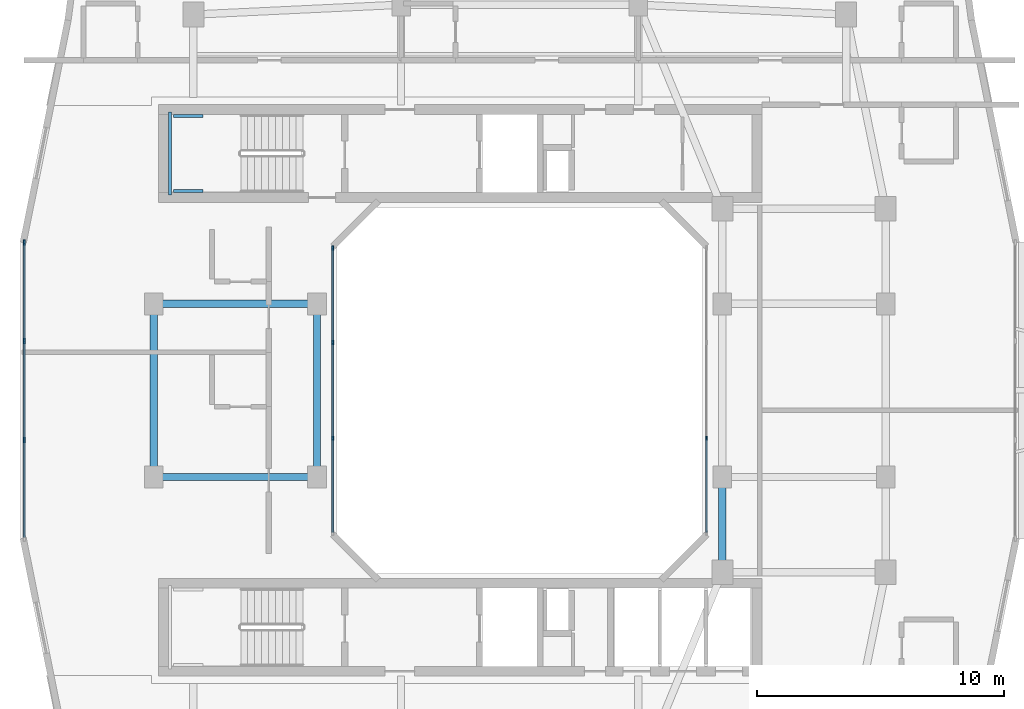
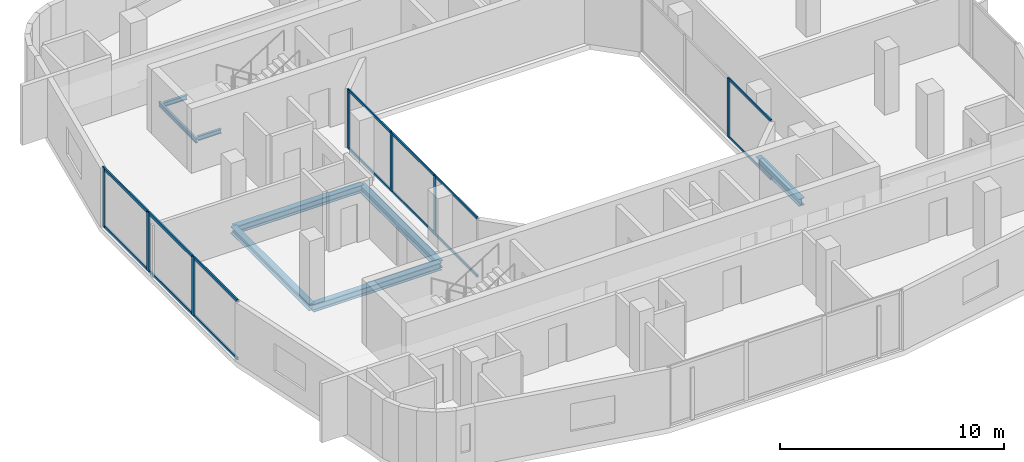
# One storey, part 3 of 14: 21 members, 8 beams, 3 elements without a shape of their own.
"""IFC4 building model written with IfcOpenShell, lengths in metres."""

from ifc_helpers import new_model, si_unit, derived_unit, direction, frame, origin, origin_2d, place, context, subcontext, project, spatial, rectangle, i_section, extrude, material, layer, layer_set, material_profile, profile_set, type_object, element, aggregate, save


model = new_model("IFC4")

# Units and contexts
model_context = context("Model", 3, precision=1e-05, world=origin(), true_north=direction((0.0, 1.0)))
body_context = subcontext(model_context, "Body", "Model", "MODEL_VIEW")
ifc_project = project(units=[si_unit("LENGTHUNIT", "METRE"), si_unit("AREAUNIT", "SQUARE_METRE"), si_unit("VOLUMEUNIT", "CUBIC_METRE"), si_unit("PLANEANGLEUNIT", "RADIAN"), si_unit("MASSUNIT", "GRAM", prefix="KILO"), derived_unit("THERMALTRANSMITTANCEUNIT", [(si_unit("POWERUNIT", "WATT"), 1), (si_unit("LENGTHUNIT", "METRE"), -2), (si_unit("THERMODYNAMICTEMPERATUREUNIT", "KELVIN"), -1)])], contexts=[model_context])

# Site, building, storey
site_placement = place(None, origin())
site = spatial("IfcSite", under=ifc_project, at=site_placement, CompositionType="ELEMENT")
building_placement = place(site_placement, origin())
building = spatial("IfcBuilding", under=site, at=building_placement, Name="Kivonza Crest Hotel", CompositionType="ELEMENT")
storey_placement = place(building_placement, frame((0.0, 0.0, 145.0)))
storey = spatial("IfcBuildingStorey", under=building, at=storey_placement, Name="L39", CompositionType="ELEMENT", Elevation=145.0)

# Beams
ifc_material_1 = material(Name="Steel S355", Category="steel")
ifc_material_profile_1 = material_profile(ifc_material_1, i_section(OverallWidth=0.300048828125, OverallDepth=0.360107421875, WebThickness=0.012451171875, FlangeThickness=0.0224609375, FilletRadius=0.027099609375, at=origin_2d()), Name="HEB 360")
ifc_profile_set_1 = profile_set([ifc_material_profile_1], Name="Steel S355")
beam_type_1 = type_object("IfcBeamType", Name="BM-HEB360", PredefinedType="SPANDREL", material=ifc_profile_set_1)
beam_1_placement = place(storey_placement, frame((6.199951171875, 28.5, -0.4599609375), z_axis=(0.0, -1.0, 0.0), x_axis=(1.0, 0.0, 0.0)))
element("IfcBeam", 1, at=beam_1_placement, inside=storey, type_object=beam_type_1, Name="Tower T1 L39 perimeter spandrel W2-W1", PredefinedType="SPANDREL", context=body_context, shape_type="SweptSolid", body=[
    extrude(i_section(OverallWidth=0.300048828125, OverallDepth=0.360107421875, WebThickness=0.012451171875, FlangeThickness=0.0224609375, FilletRadius=0.027099609375, at=origin_2d()), origin(), (0.0, 0.0, 1.0), 7.0),
])
ifc_material_profile_2 = material_profile(ifc_material_1, i_section(OverallWidth=0.300048828125, OverallDepth=0.39990234375, WebThickness=0.013427734375, FlangeThickness=0.02392578125, FilletRadius=0.027099609375, at=origin_2d()), Name="HEB 400")
ifc_profile_set_2 = profile_set([ifc_material_profile_2], Name="Steel S355")
beam_type_2 = type_object("IfcBeamType", Name="BM-HEB400", PredefinedType="BEAM", material=ifc_profile_set_2)
for number, where, z_axis, x_axis, name in (
    (2, (6.199951171875, 21.5, -0.47998046875), (1.0, 0.0, 0.0), (0.0, 1.0, 0.0), "Tower T1 L39 primary girder W1-WL1"),
    (3, (6.199951171875, 28.5, -0.47998046875), (1.0, 0.0, 0.0), (0.0, 1.0, 0.0), "Tower T1 L39 primary girder W2-WL2"),
):
    element("IfcBeam", number, at=place(storey_placement, frame(where, z_axis=z_axis, x_axis=x_axis)), inside=storey, type_object=beam_type_2, Name=name, PredefinedType="BEAM", context=body_context, shape_type="SweptSolid", body=[
        extrude(i_section(OverallWidth=0.300048828125, OverallDepth=0.39990234375, WebThickness=0.013427734375, FlangeThickness=0.02392578125, FilletRadius=0.027099609375, at=origin_2d()), origin(), (0.0, 0.0, 1.0), 6.60009765625),
    ])
beam_2_placement = place(storey_placement, frame((12.800048828125, 21.5, -0.47998046875), z_axis=(0.0, 1.0, 0.0), x_axis=(-1.0, 0.0, 0.0)))
element("IfcBeam", 4, at=beam_2_placement, inside=storey, type_object=beam_type_2, Name="Tower T1 L39 primary girder WL1-WL2", PredefinedType="BEAM", context=body_context, shape_type="SweptSolid", body=[
    extrude(i_section(OverallWidth=0.300048828125, OverallDepth=0.39990234375, WebThickness=0.013427734375, FlangeThickness=0.02392578125, FilletRadius=0.027099609375, at=origin_2d()), origin(), (0.0, 0.0, 1.0), 7.0),
])
beam_3_placement = place(storey_placement, frame((29.199951171875, 17.64990234375, -0.47998046875), z_axis=(0.0, 1.0, 0.0), x_axis=(-1.0, 0.0, 0.0)))
element("IfcBeam", 5, at=beam_3_placement, inside=storey, type_object=beam_type_2, Name="Tower T1 L39 primary girder TSE-WR1", PredefinedType="BEAM", context=body_context, shape_type="SweptSolid", body=[
    extrude(i_section(OverallWidth=0.300048828125, OverallDepth=0.39990234375, WebThickness=0.013427734375, FlangeThickness=0.02392578125, FilletRadius=0.027099609375, at=origin_2d()), origin(), (0.0, 0.0, 1.0), 3.85009765625),
])
ifc_material_profile_3 = material_profile(ifc_material_1, i_section(OverallWidth=0.1201171875, OverallDepth=0.239990234375, WebThickness=0.006103515625, FlangeThickness=0.009765625, FilletRadius=0.014892578125, at=origin_2d()), Name="IPE 240")
ifc_profile_set_3 = profile_set([ifc_material_profile_3], Name="Steel S355")
beam_type_3 = type_object("IfcBeamType", Name="BM-LLDG-240", PredefinedType="BEAM", material=ifc_profile_set_3)
beam_4_placement = place(storey_placement, frame((6.860107421875, 32.89990234375, 1.429931640625), z_axis=(0.0, 1.0, 0.0), x_axis=(-1.0, 0.0, 0.0)))
element("IfcBeam", 6, at=beam_4_placement, inside=storey, type_object=beam_type_3, Name="Stair ST-T1-N L39 West landing corbel", PredefinedType="BEAM", context=body_context, shape_type="SweptSolid", body=[
    extrude(i_section(OverallWidth=0.1201171875, OverallDepth=0.239990234375, WebThickness=0.006103515625, FlangeThickness=0.009765625, FilletRadius=0.014892578125, at=origin_2d()), origin(), (0.0, 0.0, 1.0), 3.360107421875),
])
for number, where, z_axis, x_axis, name in (
    (7, (6.989990234375, 33.06005859375, 1.429931640625), (1.0, 0.0, 0.0), (0.0, 1.0, 0.0), "Stair ST-T1-N L39 South landing corbel"),
    (8, (6.989990234375, 36.10009765625, 1.429931640625), (1.0, 0.0, 0.0), (0.0, 1.0, 0.0), "Stair ST-T1-N L39 North landing corbel"),
):
    element("IfcBeam", number, at=place(storey_placement, frame(where, z_axis=z_axis, x_axis=x_axis)), inside=storey, type_object=beam_type_3, Name=name, PredefinedType="BEAM", context=body_context, shape_type="SweptSolid", body=[
        extrude(i_section(OverallWidth=0.1201171875, OverallDepth=0.239990234375, WebThickness=0.006103515625, FlangeThickness=0.009765625, FilletRadius=0.014892578125, at=origin_2d()), origin(), (0.0, 0.0, 1.0), 1.2099609375),
    ])

# Curtain wall, member
ifc_material_2 = material(Name="Anodised bronze aluminium and low-E double glazing", Category="aluminium")
ifc_layer_1 = layer(ifc_material_2, 0.159912109375)
ifc_layer_set_1 = layer_set([ifc_layer_1], Name="Anodised bronze aluminium and low-E double glazing")
curtain_wall_type_1 = type_object("IfcCurtainWallType", Name="CW-SYS-5", PredefinedType="NOTDEFINED", material=ifc_layer_set_1)
curtain_wall_1_placement = place(storey_placement, origin())
curtain_wall_1 = element("IfcCurtainWall", 9, at=curtain_wall_1_placement, inside=storey, type_object=curtain_wall_type_1, Name="L39 unitised curtain wall CW-WELL-T1-L39-3", PredefinedType="NOTDEFINED")
ifc_material_3 = material(Name="Anodised bronze aluminium", Category="aluminium")
ifc_material_profile_4 = material_profile(ifc_material_3, rectangle(XDim=0.06494140625, YDim=0.179931640625, at=origin_2d()), Name="CW-M 65x180")
ifc_profile_set_4 = profile_set([ifc_material_profile_4], Name="Anodised bronze aluminium")
member_type_1 = type_object("IfcMemberType", Name="CW-MUL-65x180", PredefinedType="MULLION", material=ifc_profile_set_4)
member_1_placement = place(storey_placement, frame((28.56005859375, 23.066650390625, 0.0), z_axis=(0.0, 0.0, 1.0), x_axis=(-1.0, 0.0, 0.0)))
member_1 = element("IfcMember", 10, at=member_1_placement, type_object=member_type_1, Name="CW-5 mullion 2", PredefinedType="MULLION", context=body_context, shape_type="SweptSolid", body=[
    extrude(rectangle(XDim=0.06494140625, YDim=0.179931640625, at=origin_2d()), origin(), (0.0, 0.0, 1.0), 3.219970703125),
])

# Curtain wall, members
curtain_wall_2_placement = place(storey_placement, origin())
curtain_wall_2 = element("IfcCurtainWall", 11, at=curtain_wall_2_placement, inside=storey, type_object=curtain_wall_type_1, Name="L39 unitised curtain wall CW-WELL-T1-L39-7", PredefinedType="NOTDEFINED")
member_2_placement = place(storey_placement, frame((13.43994140625, 30.767578125, 0.0), z_axis=(0.0, 0.0, 1.0), x_axis=(1.0, 0.0, 0.0)))
member_2 = element("IfcMember", 12, at=member_2_placement, type_object=member_type_1, Name="CW-5 mullion 1", PredefinedType="MULLION", context=body_context, shape_type="SweptSolid", body=[
    extrude(rectangle(XDim=0.06494140625, YDim=0.179931640625, at=origin_2d()), origin(), (0.0, 0.0, 1.0), 3.219970703125),
])
member_3_placement = place(storey_placement, frame((13.43994140625, 26.933349609375, 0.0), z_axis=(0.0, 0.0, 1.0), x_axis=(1.0, 0.0, 0.0)))
member_3 = element("IfcMember", 13, at=member_3_placement, type_object=member_type_1, Name="CW-5 mullion 2", PredefinedType="MULLION", context=body_context, shape_type="SweptSolid", body=[
    extrude(rectangle(XDim=0.06494140625, YDim=0.179931640625, at=origin_2d()), origin(), (0.0, 0.0, 1.0), 3.219970703125),
])
member_4_placement = place(storey_placement, frame((13.43994140625, 23.066650390625, 0.0), z_axis=(0.0, 0.0, 1.0), x_axis=(1.0, 0.0, 0.0)))
member_4 = element("IfcMember", 14, at=member_4_placement, type_object=member_type_1, Name="CW-5 mullion 3", PredefinedType="MULLION", context=body_context, shape_type="SweptSolid", body=[
    extrude(rectangle(XDim=0.06494140625, YDim=0.179931640625, at=origin_2d()), origin(), (0.0, 0.0, 1.0), 3.219970703125),
])

ifc_layer_2 = layer(ifc_material_2, 0.179931640625)
ifc_layer_set_2 = layer_set([ifc_layer_2], Name="Anodised bronze aluminium and low-E double glazing")
curtain_wall_type_2 = type_object("IfcCurtainWallType", Name="CW-SYS-3", PredefinedType="NOTDEFINED", material=ifc_layer_set_2)
curtain_wall_3_placement = place(storey_placement, origin())
curtain_wall_3 = element("IfcCurtainWall", 15, at=curtain_wall_3_placement, inside=storey, type_object=curtain_wall_type_2, Name="L39 unitised curtain wall CW-T1-L39-35", PredefinedType="NOTDEFINED")
ifc_material_profile_5 = material_profile(ifc_material_3, rectangle(XDim=0.074951171875, YDim=0.219970703125, at=origin_2d()), Name="CW-M 75x220")
ifc_profile_set_5 = profile_set([ifc_material_profile_5], Name="Anodised bronze aluminium")
member_type_2 = type_object("IfcMemberType", Name="CW-MUL-75x220", PredefinedType="MULLION", material=ifc_profile_set_5)
member_5_placement = place(storey_placement, frame((0.9599609375, 30.982421875, 0.0), z_axis=(0.0, 0.0, 1.0), x_axis=(1.0, 0.0, 0.0)))
member_5 = element("IfcMember", 16, at=member_5_placement, type_object=member_type_2, Name="CW-3 mullion 1", PredefinedType="MULLION", context=body_context, shape_type="SweptSolid", body=[
    extrude(rectangle(XDim=0.074951171875, YDim=0.219970703125, at=origin_2d()), origin(), (0.0, 0.0, 1.0), 3.219970703125),
])
member_6_placement = place(storey_placement, frame((0.9599609375, 27.006591796875, 0.0), z_axis=(0.0, 0.0, 1.0), x_axis=(1.0, 0.0, 0.0)))
member_6 = element("IfcMember", 17, at=member_6_placement, type_object=member_type_2, Name="CW-3 mullion 2", PredefinedType="MULLION", context=body_context, shape_type="SweptSolid", body=[
    extrude(rectangle(XDim=0.074951171875, YDim=0.219970703125, at=origin_2d()), origin(), (0.0, 0.0, 1.0), 3.219970703125),
])
member_7_placement = place(storey_placement, frame((0.9599609375, 22.993408203125, 0.0), z_axis=(0.0, 0.0, 1.0), x_axis=(1.0, 0.0, 0.0)))
member_7 = element("IfcMember", 18, at=member_7_placement, type_object=member_type_2, Name="CW-3 mullion 3", PredefinedType="MULLION", context=body_context, shape_type="SweptSolid", body=[
    extrude(rectangle(XDim=0.074951171875, YDim=0.219970703125, at=origin_2d()), origin(), (0.0, 0.0, 1.0), 3.219970703125),
])

# Member
ifc_material_profile_6 = material_profile(ifc_material_3, rectangle(XDim=0.06494140625, YDim=0.139892578125, at=origin_2d()), Name="CW-T 65x140")
ifc_profile_set_6 = profile_set([ifc_material_profile_6], Name="Anodised bronze aluminium")
member_type_3 = type_object("IfcMemberType", Name="CW-TRN-65x140", PredefinedType="USERDEFINED", material=ifc_profile_set_6)
member_8_placement = place(storey_placement, frame((28.56005859375, 19.264892578125, 0.032470703125), z_axis=(0.0, 1.0, 0.0), x_axis=(-1.0, 0.0, 0.0)))
member_8 = element("IfcMember", 19, at=member_8_placement, type_object=member_type_3, Name="CW-5 transom 1.1", ObjectType="TRANSOM", PredefinedType="USERDEFINED", context=body_context, shape_type="SweptSolid", body=[
    extrude(rectangle(XDim=0.06494140625, YDim=0.139892578125, at=origin_2d()), origin(), (0.0, 0.0, 1.0), 3.769287109375),
])

member_9_placement = place(storey_placement, frame((28.56005859375, 19.264892578125, 3.1875), z_axis=(0.0, 1.0, 0.0), x_axis=(-1.0, 0.0, 0.0)))
member_9 = element("IfcMember", 20, at=member_9_placement, type_object=member_type_3, Name="CW-5 transom 1.2", ObjectType="TRANSOM", PredefinedType="USERDEFINED", context=body_context, shape_type="SweptSolid", body=[
    extrude(rectangle(XDim=0.06494140625, YDim=0.139892578125, at=origin_2d()), origin(), (0.0, 0.0, 1.0), 3.769287109375),
])

aggregate(curtain_wall_1, [member_1, member_8, member_9])

member_10_placement = place(storey_placement, frame((13.43994140625, 30.735107421875, 0.032470703125), z_axis=(0.0, -1.0, 0.0), x_axis=(1.0, 0.0, 0.0)))
member_10 = element("IfcMember", 21, at=member_10_placement, type_object=member_type_3, Name="CW-5 transom 1.1", ObjectType="TRANSOM", PredefinedType="USERDEFINED", context=body_context, shape_type="SweptSolid", body=[
    extrude(rectangle(XDim=0.06494140625, YDim=0.139892578125, at=origin_2d()), origin(), (0.0, 0.0, 1.0), 3.769287109375),
])

member_11_placement = place(storey_placement, frame((13.43994140625, 30.735107421875, 3.1875), z_axis=(0.0, -1.0, 0.0), x_axis=(1.0, 0.0, 0.0)))
member_11 = element("IfcMember", 22, at=member_11_placement, type_object=member_type_3, Name="CW-5 transom 1.2", ObjectType="TRANSOM", PredefinedType="USERDEFINED", context=body_context, shape_type="SweptSolid", body=[
    extrude(rectangle(XDim=0.06494140625, YDim=0.139892578125, at=origin_2d()), origin(), (0.0, 0.0, 1.0), 3.769287109375),
])

member_12_placement = place(storey_placement, frame((13.43994140625, 26.90087890625, 0.032470703125), z_axis=(0.0, -1.0, 0.0), x_axis=(1.0, 0.0, 0.0)))
member_12 = element("IfcMember", 23, at=member_12_placement, type_object=member_type_3, Name="CW-5 transom 2.1", ObjectType="TRANSOM", PredefinedType="USERDEFINED", context=body_context, shape_type="SweptSolid", body=[
    extrude(rectangle(XDim=0.06494140625, YDim=0.139892578125, at=origin_2d()), origin(), (0.0, 0.0, 1.0), 3.8017578125),
])

member_13_placement = place(storey_placement, frame((13.43994140625, 26.90087890625, 3.1875), z_axis=(0.0, -1.0, 0.0), x_axis=(1.0, 0.0, 0.0)))
member_13 = element("IfcMember", 24, at=member_13_placement, type_object=member_type_3, Name="CW-5 transom 2.2", ObjectType="TRANSOM", PredefinedType="USERDEFINED", context=body_context, shape_type="SweptSolid", body=[
    extrude(rectangle(XDim=0.06494140625, YDim=0.139892578125, at=origin_2d()), origin(), (0.0, 0.0, 1.0), 3.8017578125),
])

member_14_placement = place(storey_placement, frame((13.43994140625, 23.0341796875, 0.032470703125), z_axis=(0.0, -1.0, 0.0), x_axis=(1.0, 0.0, 0.0)))
member_14 = element("IfcMember", 25, at=member_14_placement, type_object=member_type_3, Name="CW-5 transom 3.1", ObjectType="TRANSOM", PredefinedType="USERDEFINED", context=body_context, shape_type="SweptSolid", body=[
    extrude(rectangle(XDim=0.06494140625, YDim=0.139892578125, at=origin_2d()), origin(), (0.0, 0.0, 1.0), 3.769287109375),
])

member_15_placement = place(storey_placement, frame((13.43994140625, 23.0341796875, 3.1875), z_axis=(0.0, -1.0, 0.0), x_axis=(1.0, 0.0, 0.0)))
member_15 = element("IfcMember", 26, at=member_15_placement, type_object=member_type_3, Name="CW-5 transom 3.2", ObjectType="TRANSOM", PredefinedType="USERDEFINED", context=body_context, shape_type="SweptSolid", body=[
    extrude(rectangle(XDim=0.06494140625, YDim=0.139892578125, at=origin_2d()), origin(), (0.0, 0.0, 1.0), 3.769287109375),
])

aggregate(curtain_wall_2, [member_2, member_3, member_4, member_10, member_11, member_12, member_13, member_14, member_15])

ifc_material_profile_7 = material_profile(ifc_material_3, rectangle(XDim=0.074951171875, YDim=0.159912109375, at=origin_2d()), Name="CW-T 75x160")
ifc_profile_set_7 = profile_set([ifc_material_profile_7], Name="Anodised bronze aluminium")
member_type_4 = type_object("IfcMemberType", Name="CW-TRN-75x160", PredefinedType="USERDEFINED", material=ifc_profile_set_7)
member_16_placement = place(storey_placement, frame((0.9599609375, 30.945068359375, 0.03759765625), z_axis=(0.0, -1.0, 0.0), x_axis=(1.0, 0.0, 0.0)))
member_16 = element("IfcMember", 27, at=member_16_placement, type_object=member_type_4, Name="CW-3 transom 1.1", ObjectType="TRANSOM", PredefinedType="USERDEFINED", context=body_context, shape_type="SweptSolid", body=[
    extrude(rectangle(XDim=0.074951171875, YDim=0.159912109375, at=origin_2d()), origin(), (0.0, 0.0, 1.0), 3.90087890625),
])

member_17_placement = place(storey_placement, frame((0.9599609375, 30.945068359375, 3.1826171875), z_axis=(0.0, -1.0, 0.0), x_axis=(1.0, 0.0, 0.0)))
member_17 = element("IfcMember", 28, at=member_17_placement, type_object=member_type_4, Name="CW-3 transom 1.2", ObjectType="TRANSOM", PredefinedType="USERDEFINED", context=body_context, shape_type="SweptSolid", body=[
    extrude(rectangle(XDim=0.074951171875, YDim=0.159912109375, at=origin_2d()), origin(), (0.0, 0.0, 1.0), 3.90087890625),
])

member_18_placement = place(storey_placement, frame((0.9599609375, 26.96923828125, 0.03759765625), z_axis=(0.0, -1.0, 0.0), x_axis=(1.0, 0.0, 0.0)))
member_18 = element("IfcMember", 29, at=member_18_placement, type_object=member_type_4, Name="CW-3 transom 2.1", ObjectType="TRANSOM", PredefinedType="USERDEFINED", context=body_context, shape_type="SweptSolid", body=[
    extrude(rectangle(XDim=0.074951171875, YDim=0.159912109375, at=origin_2d()), origin(), (0.0, 0.0, 1.0), 3.9384765625),
])

member_19_placement = place(storey_placement, frame((0.9599609375, 26.96923828125, 3.1826171875), z_axis=(0.0, -1.0, 0.0), x_axis=(1.0, 0.0, 0.0)))
member_19 = element("IfcMember", 30, at=member_19_placement, type_object=member_type_4, Name="CW-3 transom 2.2", ObjectType="TRANSOM", PredefinedType="USERDEFINED", context=body_context, shape_type="SweptSolid", body=[
    extrude(rectangle(XDim=0.074951171875, YDim=0.159912109375, at=origin_2d()), origin(), (0.0, 0.0, 1.0), 3.9384765625),
])

member_20_placement = place(storey_placement, frame((0.9599609375, 22.955810546875, 0.03759765625), z_axis=(0.0, -1.0, 0.0), x_axis=(1.0, 0.0, 0.0)))
member_20 = element("IfcMember", 31, at=member_20_placement, type_object=member_type_4, Name="CW-3 transom 3.1", ObjectType="TRANSOM", PredefinedType="USERDEFINED", context=body_context, shape_type="SweptSolid", body=[
    extrude(rectangle(XDim=0.074951171875, YDim=0.159912109375, at=origin_2d()), origin(), (0.0, 0.0, 1.0), 3.90087890625),
])

member_21_placement = place(storey_placement, frame((0.9599609375, 22.955810546875, 3.1826171875), z_axis=(0.0, -1.0, 0.0), x_axis=(1.0, 0.0, 0.0)))
member_21 = element("IfcMember", 32, at=member_21_placement, type_object=member_type_4, Name="CW-3 transom 3.2", ObjectType="TRANSOM", PredefinedType="USERDEFINED", context=body_context, shape_type="SweptSolid", body=[
    extrude(rectangle(XDim=0.074951171875, YDim=0.159912109375, at=origin_2d()), origin(), (0.0, 0.0, 1.0), 3.90087890625),
])

aggregate(curtain_wall_3, [member_5, member_6, member_7, member_16, member_17, member_18, member_19, member_20, member_21])

save(model, "model.ifc")
